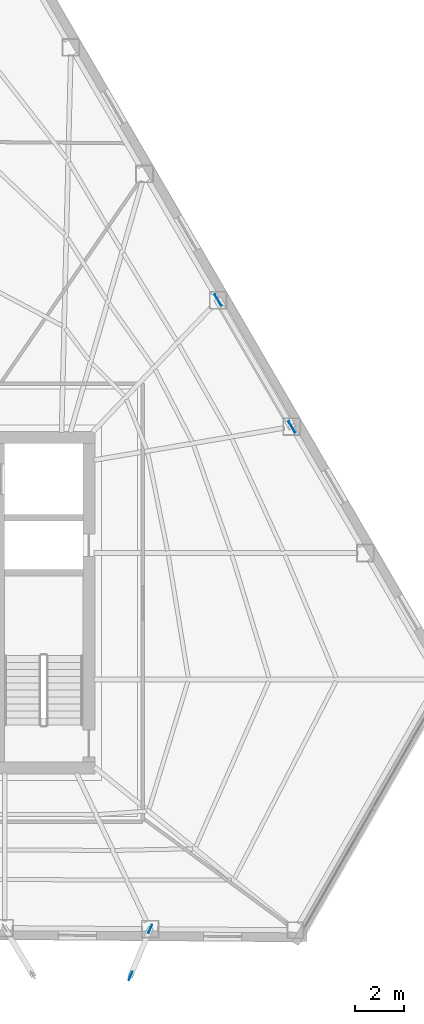
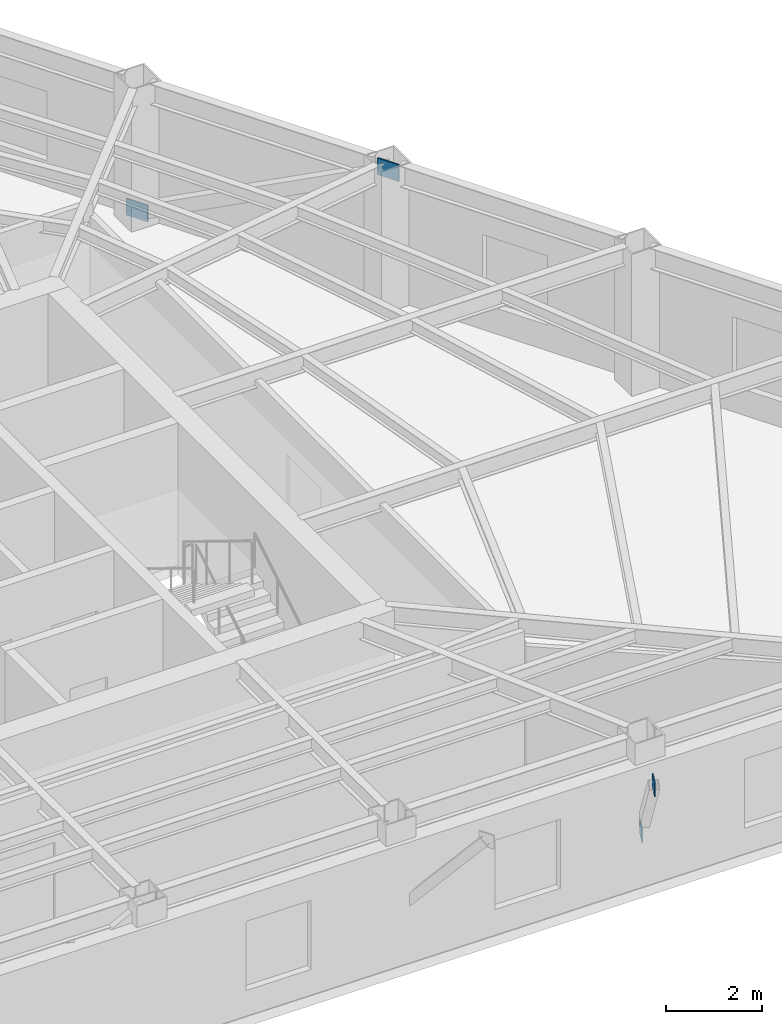
# One storey, part 7 of 13: 4 plates.
"""IFC4 building model written with IfcOpenShell, lengths in metres."""

import ifcopenshell
import ifcopenshell.guid

model = None  # the IFC model being written
_history = None  # IfcOwnerHistory: only IFC2X3 demands one
_inside = {}  # id of a spatial element -> (the spatial element, [elements in it])
_under = {}  # id of a project, library or spatial element -> (it, [spatial elements below it])
_declared = {}  # id of a project -> (the project, [libraries it declares])
_typed = {}  # id of a type object -> (the type object, [elements of that type])
_made_of = {}  # id of a material, layer set ... -> (it, [elements and type objects made of it])


def new_model(schema):
    """Start an empty IFC model of exactly this schema.

    Asked for "IFC4X3", IfcOpenShell would pick the latest addendum, in which some entities
    have other attributes; the version numbers below select the first issue.
    IFC2X3 requires an IfcOwnerHistory on every rooted entity: one is made here for all.
    """
    global model, _history
    if schema == "IFC4X3":
        model = ifcopenshell.file(schema_version=(4, 3, 0, 0))
    else:
        model = ifcopenshell.file(schema=schema)
    _inside.clear()
    _under.clear()
    _declared.clear()
    _typed.clear()
    _made_of.clear()
    _history = None
    if model.schema == "IFC2X3":
        org = make("IfcOrganization", Name="unknown")
        user = make(
            "IfcPersonAndOrganization",
            ThePerson=make("IfcPerson", FamilyName="unknown"),
            TheOrganization=org,
        )
        app = make(
            "IfcApplication",
            ApplicationDeveloper=org,
            Version="unknown",
            ApplicationFullName="unknown",
            ApplicationIdentifier="unknown",
        )
        _history = make(
            "IfcOwnerHistory",
            OwningUser=user,
            OwningApplication=app,
            ChangeAction="ADDED",
            CreationDate=0,
        )
    return model


def make(cls, **values):
    """One entity of the class cls with the attributes given. An attribute that is None is left unset."""
    return model.create_entity(
        cls, **{name: value for name, value in values.items() if value is not None}
    )


def rooted(cls, **values):
    """An entity with a GlobalId (a new one), such as an element, a storey or a relation."""
    return make(cls, GlobalId=ifcopenshell.guid.new(), OwnerHistory=_history, **values)


def si_unit(unit_type, name, prefix=None):
    """IfcSIUnit, for example si_unit("LENGTHUNIT", "METRE", prefix="MILLI")."""
    return make("IfcSIUnit", UnitType=unit_type, Prefix=prefix, Name=name)


def assignment(units):
    """IfcUnitAssignment: the units of a project."""
    return None if units is None else make("IfcUnitAssignment", Units=units)


def point(xyz):
    """IfcCartesianPoint."""
    return None if xyz is None else make("IfcCartesianPoint", Coordinates=xyz)


def direction(xyz):
    """IfcDirection."""
    return None if xyz is None else make("IfcDirection", DirectionRatios=xyz)


def frame(location, z_axis=None, x_axis=None):
    """IfcAxis2Placement3D, a coordinate frame: its origin and axes. An axis left out is left unset."""
    return make(
        "IfcAxis2Placement3D",
        Location=point(location),
        Axis=direction(z_axis),
        RefDirection=direction(x_axis),
    )


def frame_2d(location, x_axis=None):
    """IfcAxis2Placement2D, a coordinate frame in the plane: its origin and x axis."""
    return make(
        "IfcAxis2Placement2D", Location=point(location), RefDirection=direction(x_axis)
    )


def origin():
    """The frame at (0, 0, 0) with its axes left unset."""
    return frame((0.0, 0.0, 0.0))


def origin_2d():
    """The frame at (0, 0) in the plane with its x axis left unset."""
    return frame_2d((0.0, 0.0))


def place(relative_to, where):
    """IfcLocalPlacement: puts the frame where relative to a parent placement (None: the world)."""
    return make(
        "IfcLocalPlacement", PlacementRelTo=relative_to, RelativePlacement=where
    )


def context(
    kind, dimensions, precision=None, world=None, true_north=None, identifier=None
):
    """IfcGeometricRepresentationContext, for example the 3D "Model" context."""
    return make(
        "IfcGeometricRepresentationContext",
        ContextIdentifier=identifier,
        ContextType=kind,
        CoordinateSpaceDimension=dimensions,
        Precision=precision,
        WorldCoordinateSystem=world,
        TrueNorth=true_north,
    )


def subcontext(parent, identifier, kind, view, scale=None):
    """IfcGeometricRepresentationSubContext, for example "Body" below "Model"."""
    return make(
        "IfcGeometricRepresentationSubContext",
        ContextIdentifier=identifier,
        ContextType=kind,
        ParentContext=parent,
        TargetScale=scale,
        TargetView=view,
    )


def project(units=None, contexts=None):
    """IfcProject with its units and contexts."""
    return rooted(
        "IfcProject",
        Name="project",
        RepresentationContexts=contexts,
        UnitsInContext=assignment(units),
    )


def spatial(cls, under=None, at=None, **own):
    """A site, building, storey or space (cls), placed at a placement, below another one or the project."""
    s = rooted(cls, ObjectPlacement=at, **own)
    if under is not None:
        _under.setdefault(under.id(), (under, []))[1].append(s)
    return s


def profile(cls, at=None, kind="AREA", **sizes):
    """A parametric profile (cls). Its sizes go by their IFC names, for example OverallWidth=200.0."""
    return make(cls, ProfileType=kind, Position=at, **sizes)


def rectangle(**sizes):
    """IfcRectangleProfileDef."""
    return profile("IfcRectangleProfileDef", **sizes)


def extrude(swept, where, along, depth):
    """IfcExtrudedAreaSolid: the profile swept, set in the frame where, extruded along a direction by depth."""
    return make(
        "IfcExtrudedAreaSolid",
        SweptArea=swept,
        Position=where,
        ExtrudedDirection=direction(along),
        Depth=depth,
    )


def shape(context_of_items, identifier, shape_type, items):
    """IfcShapeRepresentation: the items that make up one representation, for example the "Body"."""
    return make(
        "IfcShapeRepresentation",
        ContextOfItems=context_of_items,
        RepresentationIdentifier=identifier,
        RepresentationType=shape_type,
        Items=items,
    )


def material(Name=None, Category=None):
    """IfcMaterial."""
    return make("IfcMaterial", Name=Name, Category=Category)


def layer(
    of_material, thickness, ventilated=None, Name=None, Category=None, Priority=None
):
    """IfcMaterialLayer: one layer of a wall or slab, of a material (None: an air gap)."""
    return make(
        "IfcMaterialLayer",
        Material=of_material,
        LayerThickness=thickness,
        IsVentilated=ventilated,
        Name=Name,
        Category=Category,
        Priority=Priority,
    )


def layer_set(layers, Name=None):
    """IfcMaterialLayerSet."""
    return make("IfcMaterialLayerSet", MaterialLayers=layers, LayerSetName=Name)


def made_of(thing, what):
    """Note that an element or type object is made of a material, layer set ...; save() writes the relation."""
    if what is not None:
        _made_of.setdefault(what.id(), (what, []))[1].append(thing)
    return thing


def type_object(cls, material=None, **own):
    """A type object (cls), such as IfcWallType, which elements share."""
    return made_of(rooted(cls, **own), material)


def element(
    cls,
    number,
    at=None,
    inside=None,
    cuts=None,
    type_object=None,
    material=None,
    context=None,
    identifier="Body",
    shape_type=None,
    held_by="IfcProductDefinitionShape",
    body=None,
    shapes=None,
    **own,
):
    """One element of the class cls, such as IfcWall. Its Tag is "e" and its number.

    at: its placement. inside: the storey or other place that contains it. cuts: it is an
    opening in that element (IfcRelVoidsElement). A single representation is given by context,
    identifier, shape_type and body (its items); several are given by shapes. held_by: the class
    of the entity that holds the representations. save() writes the other relations.
    """
    e = rooted(cls, Tag="e%d" % number, ObjectPlacement=at, **own)
    if body is not None:
        shapes = [shape(context, identifier, shape_type, body)]
    if shapes is not None:
        e.Representation = make(held_by, Representations=shapes)
    if inside is not None:
        _inside.setdefault(inside.id(), (inside, []))[1].append(e)
    if cuts is not None:
        rooted(
            "IfcRelVoidsElement", RelatingBuildingElement=cuts, RelatedOpeningElement=e
        )
    if type_object is not None:
        _typed.setdefault(type_object.id(), (type_object, []))[1].append(e)
    return made_of(e, material)


def aggregate(whole, parts):
    """IfcRelAggregates: a whole, such as a stair, and the parts it consists of."""
    return rooted("IfcRelAggregates", RelatingObject=whole, RelatedObjects=parts)


def save(model, path):
    """Write the relations noted so far, then the file.

    IfcRelAggregates (storeys below a building ...), IfcRelContainedInSpatialStructure (elements
    in a storey), IfcRelDefinesByType, IfcRelAssociatesMaterial and IfcRelDeclares: one each for
    every whole, place, type object, material and project.
    """
    for whole, parts in _under.values():
        aggregate(whole, parts)
    for where, things in _inside.values():
        rooted(
            "IfcRelContainedInSpatialStructure",
            RelatedElements=things,
            RelatingStructure=where,
        )
    for kind, things in _typed.values():
        rooted("IfcRelDefinesByType", RelatedObjects=things, RelatingType=kind)
    for what, things in _made_of.values():
        rooted("IfcRelAssociatesMaterial", RelatedObjects=things, RelatingMaterial=what)
    for by, libraries in _declared.values():
        rooted("IfcRelDeclares", RelatingContext=by, RelatedDefinitions=libraries)
    model.write(path)


model = new_model("IFC4")

# Units and contexts
model_context = context("Model", 3, precision=1e-05, world=origin(), true_north=direction((0.0, 1.0)))
body_context = subcontext(model_context, "Body", "Model", "MODEL_VIEW")
ifc_project = project(units=[si_unit("LENGTHUNIT", "METRE"), si_unit("AREAUNIT", "SQUARE_METRE"), si_unit("VOLUMEUNIT", "CUBIC_METRE"), si_unit("PLANEANGLEUNIT", "RADIAN"), si_unit("MASSUNIT", "GRAM", prefix="KILO")], contexts=[model_context])

# Site, building, storey
site_placement = place(None, origin())
site = spatial("IfcSite", under=ifc_project, at=site_placement, CompositionType="ELEMENT")
building_placement = place(site_placement, origin())
building = spatial("IfcBuilding", under=site, at=building_placement, Name="Kavelnor Concourse Tower", CompositionType="ELEMENT")
storey_placement = place(building_placement, frame((0.0, 0.0, 116.300048828125)))
storey = spatial("IfcBuildingStorey", under=building, at=storey_placement, Name="L29", CompositionType="ELEMENT", Elevation=116.300048828125)

# Plates
ifc_material = material(Name="Steel Grade 350", Category="steel")
ifc_layer_1 = layer(ifc_material, 0.028076171875, Name="Steel Grade 350")
ifc_layer_set_1 = layer_set([ifc_layer_1], Name="Steel Grade 350")
plate_type_1 = type_object("IfcPlateType", Name="PL-GUSSET-FOLD", PredefinedType="USERDEFINED", material=ifc_layer_set_1)
for number, where, z_axis, x_axis, name in (
    (1, (50.275634765625, 2.768798828125, 0.8798828125), (0.0, 0.0, 1.0), (-0.386067049717, -0.922470722095, 0.0), "L29 Balcony Strut Gusset GP4 2-B End Gusset A"),
    (2, (49.474609375, 0.85400390625, 3.48486328125), (0.0, 0.0, 1.0), (-0.386067049717, -0.922470722095, 0.0), "L29 Balcony Strut Gusset GP4 2-B End Gusset B"),
):
    element("IfcPlate", number, at=place(storey_placement, frame(where, z_axis=z_axis, x_axis=x_axis)), inside=storey, type_object=plate_type_1, Name=name, ObjectType="GUSSET_PLATE", PredefinedType="USERDEFINED", context=body_context, shape_type="SweptSolid", body=[
        extrude(rectangle(XDim=0.360107421875, YDim=0.028076171875, at=origin_2d()), origin(), (0.0, 0.0, 1.0), 0.340087890625),
    ])
ifc_layer_2 = layer(ifc_material, 0.031982421875, Name="Steel Grade 350")
ifc_layer_set_2 = layer_set([ifc_layer_2], Name="Steel Grade 350")
plate_type_2 = type_object("IfcPlateType", Name="PL-GUSSET-TUBE-Z1", PredefinedType="USERDEFINED", material=ifc_layer_set_2)
for number, where, z_axis, x_axis, name in (
    (3, (53.046875, 28.473388671875, 0.010009765625), (0.0, 0.0, 1.0), (0.503170783377, -0.864186995248, 0.0), "L29 Tube Brace Gusset GP3 F2-B2 End Gusset A"),
    (4, (56.06689453125, 23.28662109375, 3.12353515625), (0.0, 0.0, 1.0), (0.503170783377, -0.864186995248, 0.0), "L29 Tube Brace Gusset GP3 F2-B2 End Gusset B"),
):
    element("IfcPlate", number, at=place(storey_placement, frame(where, z_axis=z_axis, x_axis=x_axis)), inside=storey, type_object=plate_type_2, Name=name, ObjectType="GUSSET_PLATE", PredefinedType="USERDEFINED", context=body_context, shape_type="SweptSolid", body=[
        extrude(rectangle(XDim=0.52001953125, YDim=0.031982421875, at=origin_2d()), origin(), (0.0, 0.0, 1.0), 0.419921875),
    ])

save(model, "model.ifc")
